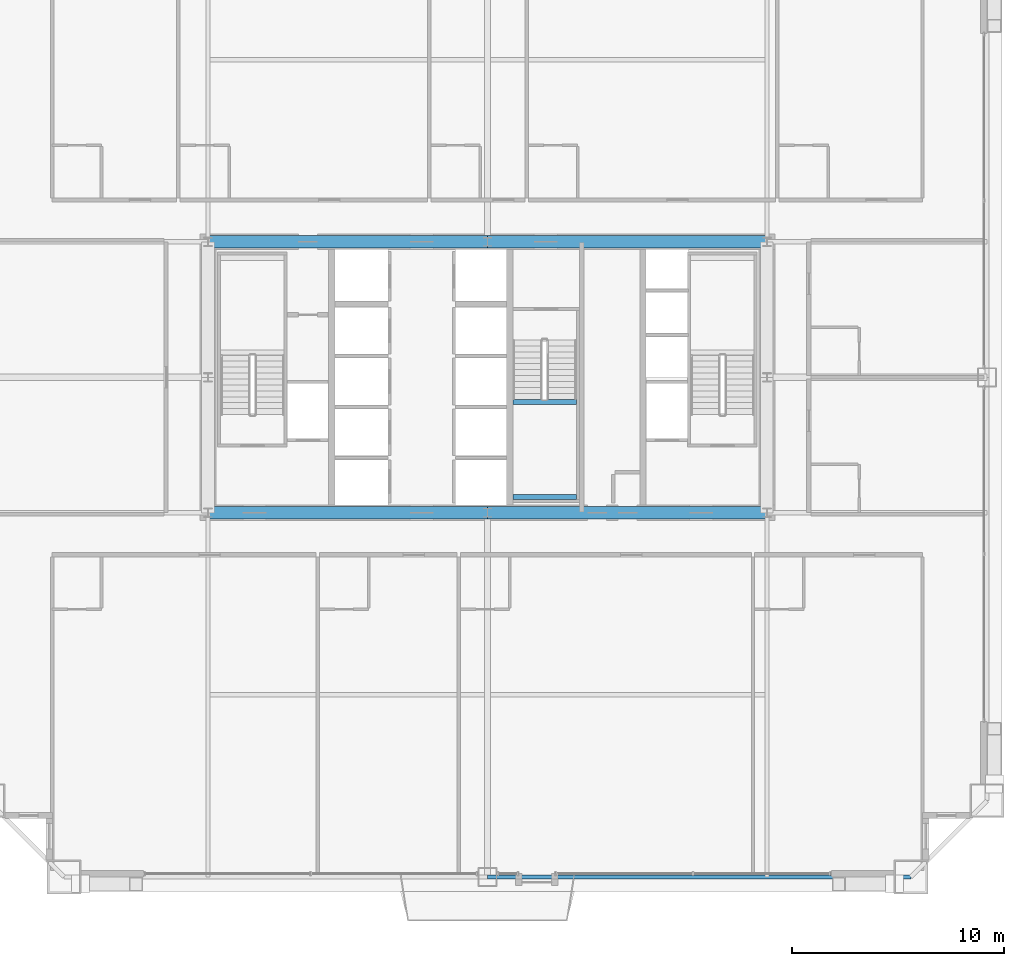
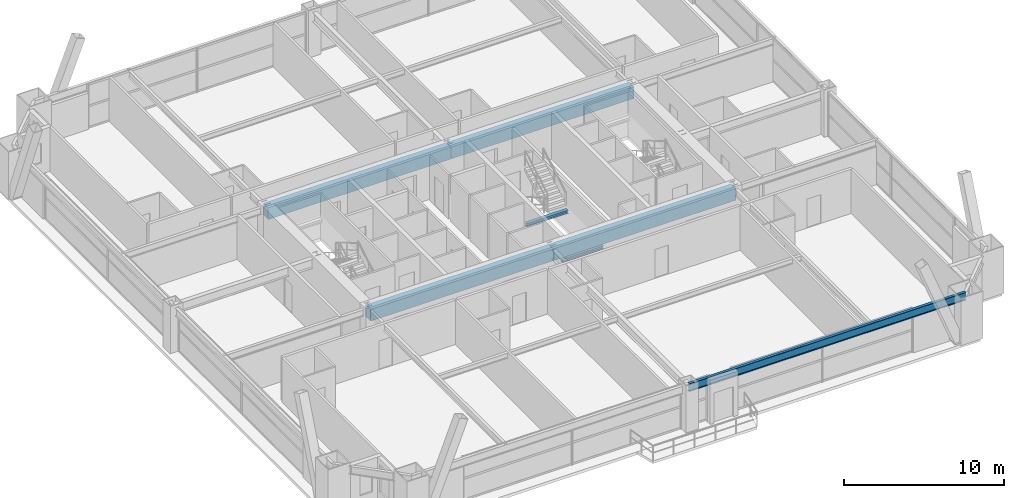
# One storey, part 13 of 41: 7 beams.
"""IFC4 building model written with IfcOpenShell, lengths in metres."""

from ifc_helpers import new_model, si_unit, direction, frame, origin, origin_2d, place, context, subcontext, project, spatial, rectangle, i_section, extrude, source, transform, mapped, material, material_profile, profile_set, type_object, element, save


model = new_model("IFC4")

# Units and contexts
model_context = context("Model", 3, precision=1e-05, world=origin(), true_north=direction((0.0, 1.0)))
body_context = subcontext(model_context, "Body", "Model", "MODEL_VIEW")
ifc_project = project(units=[si_unit("LENGTHUNIT", "METRE"), si_unit("AREAUNIT", "SQUARE_METRE"), si_unit("VOLUMEUNIT", "CUBIC_METRE"), si_unit("PLANEANGLEUNIT", "RADIAN"), si_unit("MASSUNIT", "GRAM", prefix="KILO"), si_unit("THERMODYNAMICTEMPERATUREUNIT", "KELVIN"), si_unit("POWERUNIT", "WATT")], contexts=[model_context])

# Site, building, storey
site_placement = place(None, origin())
site = spatial("IfcSite", under=ifc_project, at=site_placement, CompositionType="ELEMENT")
building_placement = place(site_placement, origin())
building = spatial("IfcBuilding", under=site, at=building_placement, Name="Yuzanri Waterfront Tower", CompositionType="ELEMENT")
storey_placement = place(building_placement, frame((0.0, 0.0, 122.60009765625)))
storey = spatial("IfcBuildingStorey", under=building, at=storey_placement, Name="L32", CompositionType="ELEMENT", Elevation=122.60009765625)

# Beams
ifc_material_1 = material(Name="Concrete C60", Category="concrete")
ifc_material_profile_1 = material_profile(ifc_material_1, rectangle(XDim=0.60009765625, YDim=0.89990234375, at=origin_2d()), Name="RC 600x900")
ifc_profile_set_1 = profile_set([ifc_material_profile_1], Name="Concrete C60")
beam_type_1 = type_object("IfcBeamType", Name="Core Coupling Lintel Concrete C60 600x900", PredefinedType="LINTEL", material=ifc_profile_set_1)
shared_shape_1 = source(origin(), body_context, "Body", "SweptSolid", [
    extrude(rectangle(XDim=0.60009765625, YDim=0.89990234375, at=origin_2d()), origin(), (0.0, 0.0, 1.0), 13.199951171875),
])
for number, where, z_axis, x_axis, name in (
    (1, (23.800048828125, 19.39990234375, 2.929931640625), (1.0, 0.0, 0.0), (0.0, 1.0, 0.0), "L32 Core Tie Beam CS1"),
    (2, (37.0, 19.39990234375, 2.929931640625), (1.0, 0.0, 0.0), (0.0, 1.0, 0.0), "L32 Core Tie Beam CS2"),
    (3, (23.800048828125, 32.199951171875, 2.929931640625), (1.0, 0.0, 0.0), (0.0, 1.0, 0.0), "L32 Core Tie Beam CN1"),
    (4, (37.0, 32.199951171875, 2.929931640625), (1.0, 0.0, 0.0), (0.0, 1.0, 0.0), "L32 Core Tie Beam CN2"),
):
    element("IfcBeam", number, at=place(storey_placement, frame(where, z_axis=z_axis, x_axis=x_axis)), inside=storey, type_object=beam_type_1, Name=name, PredefinedType="LINTEL", context=body_context, shape_type="MappedRepresentation", body=[
        mapped(shared_shape_1, transform((0.0, 0.0, 0.0), scale=1.0)),
    ])
ifc_material_2 = material(Name="Steel Q355B", Category="steel")
ifc_material_profile_2 = material_profile(ifc_material_2, i_section(OverallWidth=0.199951171875, OverallDepth=0.60009765625, WebThickness=0.010986328125, FlangeThickness=0.01708984375, at=origin_2d()), Name="HN 600x200x11x17")
ifc_profile_set_2 = profile_set([ifc_material_profile_2], Name="Steel Q355B")
beam_type_2 = type_object("IfcBeamType", Name="Perimeter Spandrel Q355B HN 600x200", PredefinedType="SPANDREL", material=ifc_profile_set_2)
shared_shape_2 = source(origin(), body_context, "Body", "SweptSolid", [
    extrude(i_section(OverallWidth=0.199951171875, OverallDepth=0.60009765625, WebThickness=0.010986328125, FlangeThickness=0.01708984375, at=origin_2d()), origin(), (0.0, 0.0, 1.0), 20.0),
])
beam_placement = place(storey_placement, frame((37.0, 2.199951171875, 3.079833984375), z_axis=(1.0, 0.0, 0.0), x_axis=(0.0, 1.0, 0.0)))
element("IfcBeam", 5, at=beam_placement, inside=storey, type_object=beam_type_2, Name="L32 Perimeter Spandrel S2-S3", PredefinedType="SPANDREL", context=body_context, shape_type="MappedRepresentation", body=[
    mapped(shared_shape_2, transform((0.0, 0.0, 0.0), scale=1.0)),
])
ifc_material_3 = material(Name="Steel Q355B", Category="steel")
ifc_material_profile_3 = material_profile(ifc_material_3, i_section(OverallWidth=0.25, OverallDepth=0.25, WebThickness=0.009033203125, FlangeThickness=0.013916015625, at=origin_2d()), Name="HW 250x250x9x14")
ifc_profile_set_3 = profile_set([ifc_material_profile_3], Name="Steel Q355B")
beam_type_3 = type_object("IfcBeamType", Name="Stair Landing Support Beam Q355B HW 250x250", PredefinedType="BEAM", material=ifc_profile_set_3)
shared_shape_3 = source(origin(), body_context, "Body", "SweptSolid", [
    extrude(i_section(OverallWidth=0.25, OverallDepth=0.25, WebThickness=0.009033203125, FlangeThickness=0.013916015625, at=origin_2d()), origin(), (0.0, 0.0, 1.0), 3.0),
])
for number, where, z_axis, x_axis, name in (
    (6, (38.199951171875, 20.14990234375, 1.474853515625), (1.0, 0.0, 0.0), (0.0, 1.0, 0.0), "L32 Stair Landing Support Beam ST-03-L32-L1-1"),
    (7, (38.199951171875, 24.6298828125, 1.474853515625), (1.0, 0.0, 0.0), (0.0, 1.0, 0.0), "L32 Stair Landing Support Beam ST-03-L32-L1-2"),
):
    element("IfcBeam", number, at=place(storey_placement, frame(where, z_axis=z_axis, x_axis=x_axis)), inside=storey, type_object=beam_type_3, Name=name, PredefinedType="BEAM", context=body_context, shape_type="MappedRepresentation", body=[
        mapped(shared_shape_3, transform((0.0, 0.0, 0.0), scale=1.0)),
    ])

save(model, "model.ifc")
